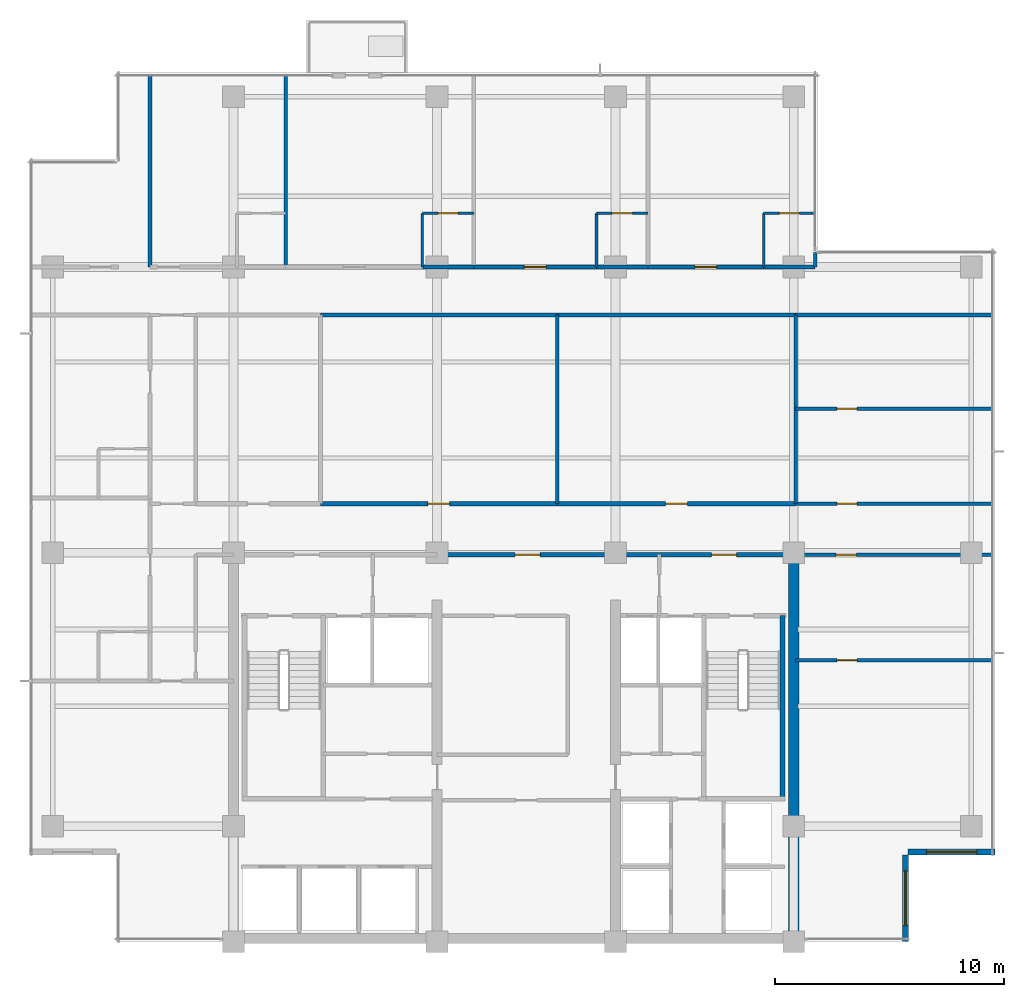
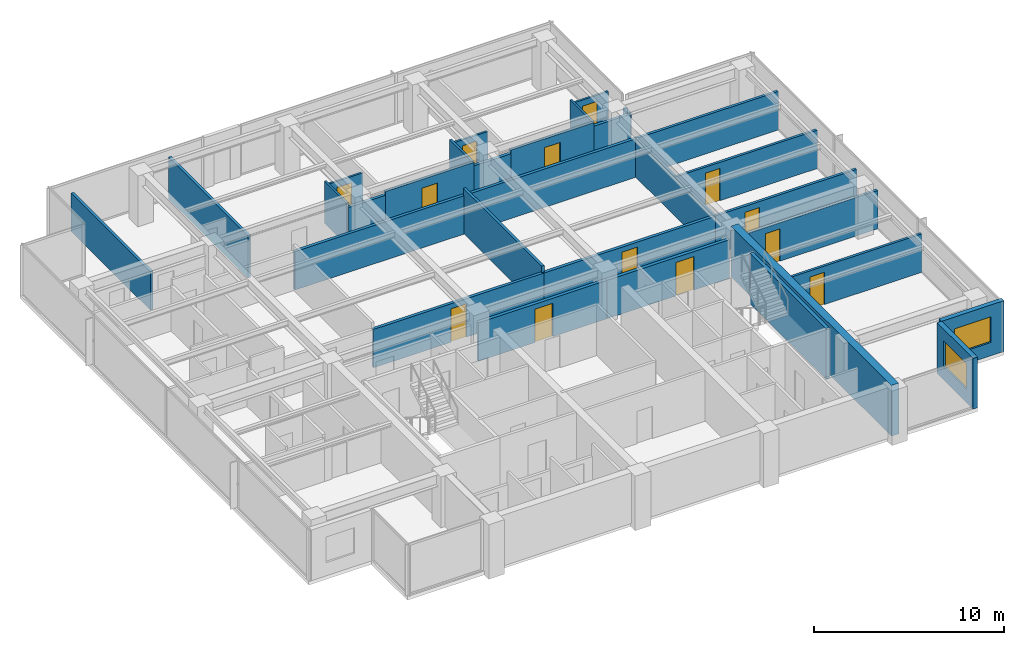
# One storey, part 9 of 14: 31 walls, 13 doors, 2 windows, 15 openings.
"""IFC4 building model written with IfcOpenShell, lengths in metres."""

from ifc_helpers import new_model, si_unit, direction, frame, frame_2d, origin, place, context, subcontext, project, spatial, rectangle, extrude, material, layer, layer_set, type_object, element, fill, save


model = new_model("IFC4")

# Units and contexts
model_context = context("Model", 3, precision=1e-05, world=origin(), true_north=direction((0.0, 1.0)))
body_context = subcontext(model_context, "Body", "Model", "MODEL_VIEW")
ifc_project = project(units=[si_unit("LENGTHUNIT", "METRE"), si_unit("AREAUNIT", "SQUARE_METRE"), si_unit("VOLUMEUNIT", "CUBIC_METRE"), si_unit("PLANEANGLEUNIT", "RADIAN"), si_unit("MASSUNIT", "GRAM", prefix="KILO")], contexts=[model_context])

# Site, building, storey
site_placement = place(None, origin())
site = spatial("IfcSite", under=ifc_project, at=site_placement, CompositionType="ELEMENT")
building_placement = place(site_placement, origin())
building = spatial("IfcBuilding", under=site, at=building_placement, Name="Qalmaran Belvedere Hotel", CompositionType="ELEMENT")
storey_placement = place(building_placement, frame((0.0, 0.0, 207.39990234375)))
storey = spatial("IfcBuildingStorey", under=building, at=storey_placement, Name="L52", CompositionType="ELEMENT", Elevation=207.39990234375)

# Wall
ifc_material_1 = material(Name="Concrete C50/60", Category="concrete")
ifc_layer_1 = layer(ifc_material_1, 0.449951171875, Name="Concrete C50/60")
ifc_layer_set_1 = layer_set([ifc_layer_1], Name="Concrete C50/60")
wall_type_1 = type_object("IfcWallType", Name="WL-CORE-450-C50", PredefinedType="SHEAR", material=ifc_layer_set_1)
wall_1_placement = place(storey_placement, frame((44.800048828125, 3.5, 0.0), z_axis=(0.0, 0.0, 1.0), x_axis=(0.0, 1.0, 0.0)))
element("IfcWall", 1, at=wall_1_placement, inside=storey, type_object=wall_type_1, Name="L52 East Core Shear Wall", PredefinedType="SHEAR", context=body_context, shape_type="SweptSolid", body=[
    extrude(rectangle(XDim=16.89990234375, YDim=0.449951171875, at=frame_2d((8.449951171875, 0.0))), origin(), (0.0, 0.0, 1.0), 3.260009765625),
])

# Wall, opening, window
ifc_material_2 = material(Name="Anodised Bronze Cladding")
ifc_layer_2 = layer(ifc_material_2, 0.280029296875, Name="Anodised Bronze Cladding")
ifc_layer_set_2 = layer_set([ifc_layer_2], Name="Anodised Bronze Cladding")
wall_type_2 = type_object("IfcWallType", Name="WL-EXT-BRNZ-280", PredefinedType="SOLIDWALL", material=ifc_layer_set_2)
wall_2_placement = place(storey_placement, frame((49.679931640625, 3.5, 0.0), z_axis=(0.0, 0.0, 1.0), x_axis=(0.0, 1.0, 0.0)))
wall_2 = element("IfcWall", 2, at=wall_2_placement, inside=storey, type_object=wall_type_2, Name="L52 Corner Notch Wall 1", PredefinedType="SOLIDWALL", context=body_context, shape_type="SweptSolid", body=[
    extrude(rectangle(XDim=3.800048828125, YDim=0.280029296875, at=frame_2d((1.89990234375, 0.0))), origin(), (0.0, 0.0, 1.0), 3.260009765625),
])
opening_1_placement = place(wall_2_placement, frame((0.699951171875, 0.0, 0.85009765625)))
opening_1 = element("IfcOpeningElement", 3, at=opening_1_placement, cuts=wall_2, Name="Opening W-N24", PredefinedType="OPENING", context=body_context, shape_type="SweptSolid", body=[
    extrude(rectangle(XDim=2.39990234375, YDim=1.64990234375, at=frame_2d((1.199951171875, 0.824951171875))), frame((0.0, 0.14990234375, 0.0), z_axis=(0.0, -1.0, 0.0), x_axis=(1.0, 0.0, 0.0)), (0.0, 0.0, 1.0), 0.300048828125),
])
ifc_material_3 = material(Name="Solar-Control Double Glazing", Category="glass")
window_type_1 = type_object("IfcWindowType", Name="WN-NTC-2400X1650", PartitioningType="SINGLE_PANEL", PredefinedType="WINDOW", material=ifc_material_3)
window_1_placement = place(opening_1_placement, origin())
window_1 = element("IfcWindow", 4, at=window_1_placement, inside=storey, type_object=window_type_1, Name="L52 Corner Notch Window 1", OverallHeight=1.64990234375, OverallWidth=2.39990234375, PartitioningType="SINGLE_PANEL", PredefinedType="WINDOW", context=body_context, shape_type="SweptSolid", body=[
    extrude(rectangle(XDim=2.39990234375, YDim=1.64990234375, at=frame_2d((1.199951171875, 0.824951171875))), frame((0.0, 0.030029296875, 0.0), z_axis=(0.0, -1.0, 0.0), x_axis=(1.0, 0.0, 0.0)), (0.0, 0.0, 1.0), 0.06005859375),
])
fill(opening_1, window_1)

wall_3_placement = place(storey_placement, frame((49.800048828125, 7.419921875, 0.0), z_axis=(0.0, 0.0, 1.0), x_axis=(1.0, 0.0, 0.0)))
wall_3 = element("IfcWall", 5, at=wall_3_placement, inside=storey, type_object=wall_type_2, Name="L52 Corner Notch Wall 2", PredefinedType="SOLIDWALL", context=body_context, shape_type="SweptSolid", body=[
    extrude(rectangle(XDim=3.800048828125, YDim=0.280029296875, at=frame_2d((1.89990234375, 0.0))), origin(), (0.0, 0.0, 1.0), 3.260009765625),
])
opening_2_placement = place(wall_3_placement, frame((0.800048828125, 0.0, 0.85009765625)))
opening_2 = element("IfcOpeningElement", 6, at=opening_2_placement, cuts=wall_3, Name="Opening W-N22", PredefinedType="OPENING", context=body_context, shape_type="SweptSolid", body=[
    extrude(rectangle(XDim=2.199951171875, YDim=1.64990234375, at=frame_2d((1.10009765625, 0.824951171875))), frame((0.0, 0.14990234375, 0.0), z_axis=(0.0, -1.0, 0.0), x_axis=(1.0, 0.0, 0.0)), (0.0, 0.0, 1.0), 0.300048828125),
])
window_type_2 = type_object("IfcWindowType", Name="WN-NTC-2200X1650", PartitioningType="SINGLE_PANEL", PredefinedType="WINDOW", material=ifc_material_3)
window_2_placement = place(opening_2_placement, origin())
window_2 = element("IfcWindow", 7, at=window_2_placement, inside=storey, type_object=window_type_2, Name="L52 Corner Notch Window 2", OverallHeight=1.64990234375, OverallWidth=2.199951171875, PartitioningType="SINGLE_PANEL", PredefinedType="WINDOW", context=body_context, shape_type="SweptSolid", body=[
    extrude(rectangle(XDim=2.199951171875, YDim=1.64990234375, at=frame_2d((1.10009765625, 0.824951171875))), frame((0.0, 0.030029296875, 0.0), z_axis=(0.0, -1.0, 0.0), x_axis=(1.0, 0.0, 0.0)), (0.0, 0.0, 1.0), 0.06005859375),
])
fill(opening_2, window_2)

# Wall, opening, door
ifc_material_4 = material(Name="Moisture-Resistant Gypsum")
ifc_layer_3 = layer(ifc_material_4, 0.1201171875, Name="Moisture-Resistant Gypsum")
ifc_layer_set_3 = layer_set([ifc_layer_3], Name="Moisture-Resistant Gypsum")
wall_type_3 = type_object("IfcWallType", Name="WL-INT-120-BATH", PredefinedType="PARTITIONING", material=ifc_layer_set_3)
wall_4_placement = place(storey_placement, frame((28.5546875, 35.35009765625, 0.0), z_axis=(0.0, 0.0, 1.0), x_axis=(1.0, 0.0, 0.0)))
wall_4 = element("IfcWall", 8, at=wall_4_placement, inside=storey, type_object=wall_type_3, Name="L52 Partition WL-L52-NBN01", PredefinedType="PARTITIONING", context=body_context, shape_type="SweptSolid", body=[
    extrude(rectangle(XDim=2.25, YDim=0.1201171875, at=frame_2d((1.125, 0.0))), origin(), (0.0, 0.0, 1.0), 2.47216796875),
])
opening_3_placement = place(wall_4_placement, frame((1.56494140625, 0.0, 0.0), z_axis=(0.0, 0.0, 1.0), x_axis=(-1.0, 0.0, 0.0)))
opening_3 = element("IfcOpeningElement", 9, at=opening_3_placement, cuts=wall_4, Name="Opening D-BATH", PredefinedType="OPENING", context=body_context, shape_type="SweptSolid", body=[
    extrude(rectangle(XDim=0.8798828125, YDim=2.080078125, at=frame_2d((0.43994140625, 1.0400390625))), frame((0.0, 0.070068359375, 0.0), z_axis=(0.0, -1.0, 0.0), x_axis=(1.0, 0.0, 0.0)), (0.0, 0.0, 1.0), 0.14013671875),
])
ifc_material_5 = material(Name="Engineered Oak Veneer")
door_type_1 = type_object("IfcDoorType", Name="DR-INT-BATH-880X2080", OperationType="NOTDEFINED", PredefinedType="DOOR", material=ifc_material_5)
door_1_placement = place(opening_3_placement, origin())
door_1 = element("IfcDoor", 10, at=door_1_placement, inside=storey, type_object=door_type_1, Name="L52 Ensuite Bathroom Door N02", OperationType="SINGLE_SWING_LEFT", OverallHeight=2.080078125, OverallWidth=0.8798828125, PredefinedType="DOOR", context=body_context, shape_type="SweptSolid", body=[
    extrude(rectangle(XDim=0.8798828125, YDim=2.080078125, at=frame_2d((0.43994140625, 1.0400390625))), frame((0.0, 0.02490234375, 0.0), z_axis=(0.0, -1.0, 0.0), x_axis=(1.0, 0.0, 0.0)), (0.0, 0.0, 1.0), 0.050048828125),
])
fill(opening_3, door_1)

# Wall
wall_5_placement = place(storey_placement, frame((28.5546875, 33.0, 0.0), z_axis=(0.0, 0.0, 1.0), x_axis=(0.0, 1.0, 0.0)))
element("IfcWall", 11, at=wall_5_placement, inside=storey, type_object=wall_type_3, Name="L52 Partition WL-L52-NBS01", PredefinedType="PARTITIONING", context=body_context, shape_type="SweptSolid", body=[
    extrude(rectangle(XDim=2.35009765625, YDim=0.1201171875, at=frame_2d((1.175048828125, 0.0))), origin(), (0.0, 0.0, 1.0), 2.7060546875),
])

# Wall, opening, door
wall_6_placement = place(storey_placement, frame((36.169677734375, 35.35009765625, 0.0), z_axis=(0.0, 0.0, 1.0), x_axis=(1.0, 0.0, 0.0)))
wall_6 = element("IfcWall", 12, at=wall_6_placement, inside=storey, type_object=wall_type_3, Name="L52 Partition WL-L52-NBN02", PredefinedType="PARTITIONING", context=body_context, shape_type="SweptSolid", body=[
    extrude(rectangle(XDim=2.25, YDim=0.1201171875, at=frame_2d((1.125, 0.0))), origin(), (0.0, 0.0, 1.0), 2.47216796875),
])
opening_4_placement = place(wall_6_placement, frame((1.56494140625, 0.0, 0.0), z_axis=(0.0, 0.0, 1.0), x_axis=(-1.0, 0.0, 0.0)))
opening_4 = element("IfcOpeningElement", 13, at=opening_4_placement, cuts=wall_6, Name="Opening D-BATH", PredefinedType="OPENING", context=body_context, shape_type="SweptSolid", body=[
    extrude(rectangle(XDim=0.8798828125, YDim=2.080078125, at=frame_2d((0.43994140625, 1.0400390625))), frame((0.0, 0.070068359375, 0.0), z_axis=(0.0, -1.0, 0.0), x_axis=(1.0, 0.0, 0.0)), (0.0, 0.0, 1.0), 0.14013671875),
])
door_2_placement = place(opening_4_placement, origin())
door_2 = element("IfcDoor", 14, at=door_2_placement, inside=storey, type_object=door_type_1, Name="L52 Ensuite Bathroom Door N03", OperationType="SINGLE_SWING_LEFT", OverallHeight=2.080078125, OverallWidth=0.8798828125, PredefinedType="DOOR", context=body_context, shape_type="SweptSolid", body=[
    extrude(rectangle(XDim=0.8798828125, YDim=2.080078125, at=frame_2d((0.43994140625, 1.0400390625))), frame((0.0, 0.02490234375, 0.0), z_axis=(0.0, -1.0, 0.0), x_axis=(1.0, 0.0, 0.0)), (0.0, 0.0, 1.0), 0.050048828125),
])
fill(opening_4, door_2)

# Wall
wall_7_placement = place(storey_placement, frame((36.169677734375, 33.0, 0.0), z_axis=(0.0, 0.0, 1.0), x_axis=(0.0, 1.0, 0.0)))
element("IfcWall", 15, at=wall_7_placement, inside=storey, type_object=wall_type_3, Name="L52 Partition WL-L52-NBS02", PredefinedType="PARTITIONING", context=body_context, shape_type="SweptSolid", body=[
    extrude(rectangle(XDim=2.35009765625, YDim=0.1201171875, at=frame_2d((1.175048828125, 0.0))), origin(), (0.0, 0.0, 1.0), 2.7060546875),
])

# Wall, opening, door
wall_8_placement = place(storey_placement, frame((43.47998046875, 35.35009765625, 0.0), z_axis=(0.0, 0.0, 1.0), x_axis=(1.0, 0.0, 0.0)))
wall_8 = element("IfcWall", 16, at=wall_8_placement, inside=storey, type_object=wall_type_3, Name="L52 Partition WL-L52-NBN03", PredefinedType="PARTITIONING", context=body_context, shape_type="SweptSolid", body=[
    extrude(rectangle(XDim=2.25, YDim=0.1201171875, at=frame_2d((1.125, 0.0))), origin(), (0.0, 0.0, 1.0), 2.47216796875),
])
opening_5_placement = place(wall_8_placement, frame((1.56494140625, 0.0, 0.0), z_axis=(0.0, 0.0, 1.0), x_axis=(-1.0, 0.0, 0.0)))
opening_5 = element("IfcOpeningElement", 17, at=opening_5_placement, cuts=wall_8, Name="Opening D-BATH", PredefinedType="OPENING", context=body_context, shape_type="SweptSolid", body=[
    extrude(rectangle(XDim=0.8798828125, YDim=2.080078125, at=frame_2d((0.43994140625, 1.0400390625))), frame((0.0, 0.070068359375, 0.0), z_axis=(0.0, -1.0, 0.0), x_axis=(1.0, 0.0, 0.0)), (0.0, 0.0, 1.0), 0.14013671875),
])
door_3_placement = place(opening_5_placement, origin())
door_3 = element("IfcDoor", 18, at=door_3_placement, inside=storey, type_object=door_type_1, Name="L52 Ensuite Bathroom Door N04", OperationType="SINGLE_SWING_LEFT", OverallHeight=2.080078125, OverallWidth=0.8798828125, PredefinedType="DOOR", context=body_context, shape_type="SweptSolid", body=[
    extrude(rectangle(XDim=0.8798828125, YDim=2.080078125, at=frame_2d((0.43994140625, 1.0400390625))), frame((0.0, 0.02490234375, 0.0), z_axis=(0.0, -1.0, 0.0), x_axis=(1.0, 0.0, 0.0)), (0.0, 0.0, 1.0), 0.050048828125),
])
fill(opening_5, door_3)

# Wall
wall_9_placement = place(storey_placement, frame((43.47998046875, 33.0, 0.0), z_axis=(0.0, 0.0, 1.0), x_axis=(0.0, 1.0, 0.0)))
element("IfcWall", 19, at=wall_9_placement, inside=storey, type_object=wall_type_3, Name="L52 Partition WL-L52-NBS03", PredefinedType="PARTITIONING", context=body_context, shape_type="SweptSolid", body=[
    extrude(rectangle(XDim=2.35009765625, YDim=0.1201171875, at=frame_2d((1.175048828125, 0.0))), origin(), (0.0, 0.0, 1.0), 2.7060546875),
])

# Wall, opening, door
ifc_material_6 = material(Name="Gypsum Stud Partition")
ifc_layer_4 = layer(ifc_material_6, 0.14990234375, Name="Gypsum Stud Partition")
ifc_layer_set_4 = layer_set([ifc_layer_4], Name="Gypsum Stud Partition")
wall_type_4 = type_object("IfcWallType", Name="WL-INT-150-EI60", PredefinedType="PARTITIONING", material=ifc_layer_set_4)
wall_10_placement = place(storey_placement, frame((44.8798828125, 15.800048828125, 0.0), z_axis=(0.0, 0.0, 1.0), x_axis=(1.0, 0.0, 0.0)))
wall_10 = element("IfcWall", 20, at=wall_10_placement, inside=storey, type_object=wall_type_4, Name="L52 Partition WL-L52-ECEH0", PredefinedType="PARTITIONING", context=body_context, shape_type="SweptSolid", body=[
    extrude(rectangle(XDim=8.60009765625, YDim=0.14990234375, at=frame_2d((4.300048828125, 0.0))), origin(), (0.0, 0.0, 1.0), 2.47216796875),
])
opening_6_placement = place(wall_10_placement, frame((2.679931640625, 0.0, 0.0), z_axis=(0.0, 0.0, 1.0), x_axis=(-1.0, 0.0, 0.0)))
opening_6 = element("IfcOpeningElement", 21, at=opening_6_placement, cuts=wall_10, Name="Opening FD60B", PredefinedType="OPENING", context=body_context, shape_type="SweptSolid", body=[
    extrude(rectangle(XDim=0.8798828125, YDim=2.080078125, at=frame_2d((0.43994140625, 1.0400390625))), frame((0.0, 0.0849609375, 0.0), z_axis=(0.0, -1.0, 0.0), x_axis=(1.0, 0.0, 0.0)), (0.0, 0.0, 1.0), 0.169921875),
])
ifc_material_7 = material(Name="Steel S355JR", Category="steel")
door_type_2 = type_object("IfcDoorType", Name="DR-FD60B-880X2080", OperationType="NOTDEFINED", PredefinedType="DOOR", material=ifc_material_7)
door_4_placement = place(opening_6_placement, origin())
door_4 = element("IfcDoor", 22, at=door_4_placement, inside=storey, type_object=door_type_2, Name="L52 East Study Inner Door", OperationType="SINGLE_SWING_RIGHT", OverallHeight=2.080078125, OverallWidth=0.8798828125, PredefinedType="DOOR", context=body_context, shape_type="SweptSolid", body=[
    extrude(rectangle(XDim=0.8798828125, YDim=2.080078125, at=frame_2d((0.43994140625, 1.0400390625))), frame((0.0, 0.02490234375, 0.0), z_axis=(0.0, -1.0, 0.0), x_axis=(1.0, 0.0, 0.0)), (0.0, 0.0, 1.0), 0.050048828125),
])
fill(opening_6, door_4)

wall_11_placement = place(storey_placement, frame((44.8798828125, 26.800048828125, 0.0), z_axis=(0.0, 0.0, 1.0), x_axis=(1.0, 0.0, 0.0)))
wall_11 = element("IfcWall", 23, at=wall_11_placement, inside=storey, type_object=wall_type_4, Name="L52 Partition WL-L52-ECEH2", PredefinedType="PARTITIONING", context=body_context, shape_type="SweptSolid", body=[
    extrude(rectangle(XDim=8.60009765625, YDim=0.14990234375, at=frame_2d((4.300048828125, 0.0))), origin(), (0.0, 0.0, 1.0), 2.47216796875),
])
opening_7_placement = place(wall_11_placement, frame((1.800048828125, 0.0, 0.0)))
opening_7 = element("IfcOpeningElement", 24, at=opening_7_placement, cuts=wall_11, Name="Opening FD60B", PredefinedType="OPENING", context=body_context, shape_type="SweptSolid", body=[
    extrude(rectangle(XDim=0.8798828125, YDim=2.080078125, at=frame_2d((0.43994140625, 1.0400390625))), frame((0.0, 0.0849609375, 0.0), z_axis=(0.0, -1.0, 0.0), x_axis=(1.0, 0.0, 0.0)), (0.0, 0.0, 1.0), 0.169921875),
])
door_5_placement = place(opening_7_placement, origin())
door_5 = element("IfcDoor", 25, at=door_5_placement, inside=storey, type_object=door_type_2, Name="L52 East Meditation Door", OperationType="SINGLE_SWING_LEFT", OverallHeight=2.080078125, OverallWidth=0.8798828125, PredefinedType="DOOR", context=body_context, shape_type="SweptSolid", body=[
    extrude(rectangle(XDim=0.8798828125, YDim=2.080078125, at=frame_2d((0.43994140625, 1.0400390625))), frame((0.0, 0.02490234375, 0.0), z_axis=(0.0, -1.0, 0.0), x_axis=(1.0, 0.0, 0.0)), (0.0, 0.0, 1.0), 0.050048828125),
])
fill(opening_7, door_5)

ifc_layer_5 = layer(ifc_material_6, 0.159912109375, Name="Gypsum Stud Partition")
ifc_layer_set_5 = layer_set([ifc_layer_5], Name="Gypsum Stud Partition")
wall_type_5 = type_object("IfcWallType", Name="WL-INT-160-EI60", PredefinedType="PARTITIONING", material=ifc_layer_set_5)
wall_12_placement = place(storey_placement, frame((44.800048828125, 20.419921875, 0.0), z_axis=(0.0, 0.0, 1.0), x_axis=(1.0, 0.0, 0.0)))
wall_12 = element("IfcWall", 26, at=wall_12_placement, inside=storey, type_object=wall_type_5, Name="L52 Partition WL-L52-ECE1S", PredefinedType="PARTITIONING", context=body_context, shape_type="SweptSolid", body=[
    extrude(rectangle(XDim=8.679931640625, YDim=0.159912109375, at=frame_2d((4.33984375, 0.0))), origin(), (0.0, 0.0, 1.0), 2.47216796875),
])
opening_8_placement = place(wall_12_placement, frame((2.72998046875, 0.0, 0.0), z_axis=(0.0, 0.0, 1.0), x_axis=(-1.0, 0.0, 0.0)))
opening_8 = element("IfcOpeningElement", 27, at=opening_8_placement, cuts=wall_12, Name="Opening FD60B", PredefinedType="OPENING", context=body_context, shape_type="SweptSolid", body=[
    extrude(rectangle(XDim=0.8798828125, YDim=2.080078125, at=frame_2d((0.43994140625, 1.0400390625))), frame((0.0, 0.08984375, 0.0), z_axis=(0.0, -1.0, 0.0), x_axis=(1.0, 0.0, 0.0)), (0.0, 0.0, 1.0), 0.179931640625),
])
door_6_placement = place(opening_8_placement, origin())
door_6 = element("IfcDoor", 28, at=door_6_placement, inside=storey, type_object=door_type_2, Name="L52 East Library Door", OperationType="SINGLE_SWING_RIGHT", OverallHeight=2.080078125, OverallWidth=0.8798828125, PredefinedType="DOOR", context=body_context, shape_type="SweptSolid", body=[
    extrude(rectangle(XDim=0.8798828125, YDim=2.080078125, at=frame_2d((0.43994140625, 1.0400390625))), frame((0.0, 0.02490234375, 0.0), z_axis=(0.0, -1.0, 0.0), x_axis=(1.0, 0.0, 0.0)), (0.0, 0.0, 1.0), 0.050048828125),
])
fill(opening_8, door_6)

wall_13_placement = place(storey_placement, frame((44.8798828125, 22.64990234375, 0.0), z_axis=(0.0, 0.0, 1.0), x_axis=(1.0, 0.0, 0.0)))
wall_13 = element("IfcWall", 29, at=wall_13_placement, inside=storey, type_object=wall_type_5, Name="L52 Partition WL-L52-ECE2N", PredefinedType="PARTITIONING", context=body_context, shape_type="SweptSolid", body=[
    extrude(rectangle(XDim=8.60009765625, YDim=0.159912109375, at=frame_2d((4.300048828125, 0.0))), origin(), (0.0, 0.0, 1.0), 2.47216796875),
])
opening_9_placement = place(wall_13_placement, frame((1.800048828125, 0.0, 0.0)))
opening_9 = element("IfcOpeningElement", 30, at=opening_9_placement, cuts=wall_13, Name="Opening FD60B", PredefinedType="OPENING", context=body_context, shape_type="SweptSolid", body=[
    extrude(rectangle(XDim=0.8798828125, YDim=2.080078125, at=frame_2d((0.43994140625, 1.0400390625))), frame((0.0, 0.08984375, 0.0), z_axis=(0.0, -1.0, 0.0), x_axis=(1.0, 0.0, 0.0)), (0.0, 0.0, 1.0), 0.179931640625),
])
door_7_placement = place(opening_9_placement, origin())
door_7 = element("IfcDoor", 31, at=door_7_placement, inside=storey, type_object=door_type_2, Name="L52 East Fitness Door", OperationType="SINGLE_SWING_LEFT", OverallHeight=2.080078125, OverallWidth=0.8798828125, PredefinedType="DOOR", context=body_context, shape_type="SweptSolid", body=[
    extrude(rectangle(XDim=0.8798828125, YDim=2.080078125, at=frame_2d((0.43994140625, 1.0400390625))), frame((0.0, 0.02490234375, 0.0), z_axis=(0.0, -1.0, 0.0), x_axis=(1.0, 0.0, 0.0)), (0.0, 0.0, 1.0), 0.050048828125),
])
fill(opening_9, door_7)

# Walls
wall_14_placement = place(storey_placement, frame((44.8798828125, 30.89990234375, 0.0), z_axis=(0.0, 0.0, 1.0), x_axis=(1.0, 0.0, 0.0)))
element("IfcWall", 32, at=wall_14_placement, inside=storey, type_object=wall_type_5, Name="L52 Partition WL-L52-ECEN", PredefinedType="PARTITIONING", context=body_context, shape_type="SweptSolid", body=[
    extrude(rectangle(XDim=8.60009765625, YDim=0.159912109375, at=frame_2d((4.300048828125, 0.0))), origin(), (0.0, 0.0, 1.0), 2.47216796875),
])
wall_15_placement = place(storey_placement, frame((34.449951171875, 22.64990234375, 0.0), z_axis=(0.0, 0.0, 1.0), x_axis=(0.0, 1.0, 0.0)))
element("IfcWall", 33, at=wall_15_placement, inside=storey, type_object=wall_type_5, Name="L52 Partition WL-L52-MIDVR2", PredefinedType="PARTITIONING", context=body_context, shape_type="SweptSolid", body=[
    extrude(rectangle(XDim=8.25, YDim=0.159912109375, at=frame_2d((4.125, 0.0))), origin(), (0.0, 0.0, 1.0), 2.88720703125),
])
wall_16_placement = place(storey_placement, frame((44.8798828125, 22.64990234375, 0.0), z_axis=(0.0, 0.0, 1.0), x_axis=(0.0, 1.0, 0.0)))
element("IfcWall", 34, at=wall_16_placement, inside=storey, type_object=wall_type_5, Name="L52 Partition WL-L52-MIDVR3", PredefinedType="PARTITIONING", context=body_context, shape_type="SweptSolid", body=[
    extrude(rectangle(XDim=8.25, YDim=0.159912109375, at=frame_2d((4.125, 0.0))), origin(), (0.0, 0.0, 1.0), 2.47216796875),
])
wall_17_placement = place(storey_placement, frame((16.64990234375, 33.0, 0.0), z_axis=(0.0, 0.0, 1.0), x_axis=(0.0, 1.0, 0.0)))
element("IfcWall", 35, at=wall_17_placement, inside=storey, type_object=wall_type_5, Name="L52 Partition WL-L52-NUL", PredefinedType="PARTITIONING", context=body_context, shape_type="SweptSolid", body=[
    extrude(rectangle(XDim=8.3798828125, YDim=0.159912109375, at=frame_2d((4.18994140625, 0.0))), origin(), (0.0, 0.0, 1.0), 2.47216796875),
])
wall_18_placement = place(storey_placement, frame((22.580322265625, 33.0, 0.0), z_axis=(0.0, 0.0, 1.0), x_axis=(0.0, 1.0, 0.0)))
element("IfcWall", 36, at=wall_18_placement, inside=storey, type_object=wall_type_5, Name="L52 Partition WL-L52-NUR00", PredefinedType="PARTITIONING", context=body_context, shape_type="SweptSolid", body=[
    extrude(rectangle(XDim=8.3798828125, YDim=0.159912109375, at=frame_2d((4.18994140625, 0.0))), origin(), (0.0, 0.0, 1.0), 2.7060546875),
])
wall_19_placement = place(storey_placement, frame((45.72998046875, 33.0, 0.0), z_axis=(0.0, 0.0, 1.0), x_axis=(0.0, 1.0, 0.0)))
element("IfcWall", 37, at=wall_19_placement, inside=storey, type_object=wall_type_5, Name="L52 Partition WL-L52-NUR03", PredefinedType="PARTITIONING", context=body_context, shape_type="SweptSolid", body=[
    extrude(rectangle(XDim=0.6298828125, YDim=0.159912109375, at=frame_2d((0.31494140625, 0.0))), origin(), (0.0, 0.0, 1.0), 2.47216796875),
])

# Wall, opening, door
ifc_layer_6 = layer(ifc_material_6, 0.179931640625, Name="Gypsum Stud Partition")
ifc_layer_set_6 = layer_set([ifc_layer_6], Name="Gypsum Stud Partition")
wall_type_6 = type_object("IfcWallType", Name="WL-INT-180-EI60", PredefinedType="PARTITIONING", material=ifc_layer_set_6)
wall_20_placement = place(storey_placement, frame((24.10009765625, 22.64990234375, 0.0), z_axis=(0.0, 0.0, 1.0), x_axis=(1.0, 0.0, 0.0)))
wall_20 = element("IfcWall", 38, at=wall_20_placement, inside=storey, type_object=wall_type_6, Name="L52 Partition WL-L52-MIDD2", PredefinedType="PARTITIONING", context=body_context, shape_type="SweptSolid", body=[
    extrude(rectangle(XDim=10.349853515625, YDim=0.179931640625, at=frame_2d((5.1748046875, 0.0))), origin(), (0.0, 0.0, 1.0), 2.47216796875),
])
opening_10_placement = place(wall_20_placement, frame((4.699951171875, 0.0, 0.0)))
opening_10 = element("IfcOpeningElement", 39, at=opening_10_placement, cuts=wall_20, Name="Opening FD60", PredefinedType="OPENING", context=body_context, shape_type="SweptSolid", body=[
    extrude(rectangle(XDim=0.949951171875, YDim=2.14990234375, at=frame_2d((0.47509765625, 1.074951171875))), frame((0.0, 0.10009765625, 0.0), z_axis=(0.0, -1.0, 0.0), x_axis=(1.0, 0.0, 0.0)), (0.0, 0.0, 1.0), 0.199951171875),
])
door_type_3 = type_object("IfcDoorType", Name="DR-FD60-950X2150", OperationType="NOTDEFINED", PredefinedType="DOOR", material=ifc_material_5)
door_8_placement = place(opening_10_placement, origin())
door_8 = element("IfcDoor", 40, at=door_8_placement, inside=storey, type_object=door_type_3, Name="L52 Club Lounge Door", OperationType="SINGLE_SWING_LEFT", OverallHeight=2.14990234375, OverallWidth=0.949951171875, PredefinedType="DOOR", context=body_context, shape_type="SweptSolid", body=[
    extrude(rectangle(XDim=0.949951171875, YDim=2.14990234375, at=frame_2d((0.47509765625, 1.074951171875))), frame((0.0, 0.02490234375, 0.0), z_axis=(0.0, -1.0, 0.0), x_axis=(1.0, 0.0, 0.0)), (0.0, 0.0, 1.0), 0.050048828125),
])
fill(opening_10, door_8)

# Wall
wall_21_placement = place(storey_placement, frame((24.10009765625, 30.89990234375, 0.0), z_axis=(0.0, 0.0, 1.0), x_axis=(1.0, 0.0, 0.0)))
element("IfcWall", 41, at=wall_21_placement, inside=storey, type_object=wall_type_6, Name="L52 Partition WL-L52-MIDO2", PredefinedType="PARTITIONING", context=body_context, shape_type="SweptSolid", body=[
    extrude(rectangle(XDim=10.349853515625, YDim=0.179931640625, at=frame_2d((5.1748046875, 0.0))), origin(), (0.0, 0.0, 1.0), 2.47216796875),
])

# Wall, opening, door
wall_22_placement = place(storey_placement, frame((34.449951171875, 22.64990234375, 0.0), z_axis=(0.0, 0.0, 1.0), x_axis=(1.0, 0.0, 0.0)))
wall_22 = element("IfcWall", 42, at=wall_22_placement, inside=storey, type_object=wall_type_6, Name="L52 Partition WL-L52-MIDD3", PredefinedType="PARTITIONING", context=body_context, shape_type="SweptSolid", body=[
    extrude(rectangle(XDim=10.429931640625, YDim=0.179931640625, at=frame_2d((5.21484375, 0.0))), origin(), (0.0, 0.0, 1.0), 2.47216796875),
])
opening_11_placement = place(wall_22_placement, frame((4.739990234375, 0.0, 0.0)))
opening_11 = element("IfcOpeningElement", 43, at=opening_11_placement, cuts=wall_22, Name="Opening FD60", PredefinedType="OPENING", context=body_context, shape_type="SweptSolid", body=[
    extrude(rectangle(XDim=0.949951171875, YDim=2.14990234375, at=frame_2d((0.47509765625, 1.074951171875))), frame((0.0, 0.10009765625, 0.0), z_axis=(0.0, -1.0, 0.0), x_axis=(1.0, 0.0, 0.0)), (0.0, 0.0, 1.0), 0.199951171875),
])
door_9_placement = place(opening_11_placement, origin())
door_9 = element("IfcDoor", 44, at=door_9_placement, inside=storey, type_object=door_type_3, Name="L52 Fitness Spa Door", OperationType="SINGLE_SWING_RIGHT", OverallHeight=2.14990234375, OverallWidth=0.949951171875, PredefinedType="DOOR", context=body_context, shape_type="SweptSolid", body=[
    extrude(rectangle(XDim=0.949951171875, YDim=2.14990234375, at=frame_2d((0.47509765625, 1.074951171875))), frame((0.0, 0.02490234375, 0.0), z_axis=(0.0, -1.0, 0.0), x_axis=(1.0, 0.0, 0.0)), (0.0, 0.0, 1.0), 0.050048828125),
])
fill(opening_11, door_9)

# Walls
wall_23_placement = place(storey_placement, frame((34.449951171875, 30.89990234375, 0.0), z_axis=(0.0, 0.0, 1.0), x_axis=(1.0, 0.0, 0.0)))
element("IfcWall", 45, at=wall_23_placement, inside=storey, type_object=wall_type_6, Name="L52 Partition WL-L52-MIDO3", PredefinedType="PARTITIONING", context=body_context, shape_type="SweptSolid", body=[
    extrude(rectangle(XDim=10.429931640625, YDim=0.179931640625, at=frame_2d((5.21484375, 0.0))), origin(), (0.0, 0.0, 1.0), 2.47216796875),
])
for number, where, z_axis, x_axis, name in (
    (46, (28.5546875, 33.0, 0.0), (0.0, 0.0, 1.0), (1.0, 0.0, 0.0), "L52 Partition WL-L52-NBC01"),
    (47, (36.169677734375, 33.0, 0.0), (0.0, 0.0, 1.0), (1.0, 0.0, 0.0), "L52 Partition WL-L52-NBC02"),
):
    element("IfcWall", number, at=place(storey_placement, frame(where, z_axis=z_axis, x_axis=x_axis)), inside=storey, type_object=wall_type_6, Name=name, PredefinedType="PARTITIONING", context=body_context, shape_type="SweptSolid", body=[
        extrude(rectangle(XDim=2.25, YDim=0.179931640625, at=frame_2d((1.125, 0.0))), origin(), (0.0, 0.0, 1.0), 2.47216796875),
    ])

# Wall, opening, door
wall_24_placement = place(storey_placement, frame((30.8046875, 33.0, 0.0), z_axis=(0.0, 0.0, 1.0), x_axis=(1.0, 0.0, 0.0)))
wall_24 = element("IfcWall", 48, at=wall_24_placement, inside=storey, type_object=wall_type_6, Name="L52 Partition WL-L52-NEC02", PredefinedType="PARTITIONING", context=body_context, shape_type="SweptSolid", body=[
    extrude(rectangle(XDim=5.364990234375, YDim=0.179931640625, at=frame_2d((2.6826171875, 0.0))), origin(), (0.0, 0.0, 1.0), 2.7060546875),
])
opening_12_placement = place(wall_24_placement, frame((2.20751953125, 0.0, 0.0)))
opening_12 = element("IfcOpeningElement", 49, at=opening_12_placement, cuts=wall_24, Name="Opening FD60", PredefinedType="OPENING", context=body_context, shape_type="SweptSolid", body=[
    extrude(rectangle(XDim=0.949951171875, YDim=2.14990234375, at=frame_2d((0.47509765625, 1.074951171875))), frame((0.0, 0.10009765625, 0.0), z_axis=(0.0, -1.0, 0.0), x_axis=(1.0, 0.0, 0.0)), (0.0, 0.0, 1.0), 0.199951171875),
])
door_10_placement = place(opening_12_placement, origin())
door_10 = element("IfcDoor", 50, at=door_10_placement, inside=storey, type_object=door_type_3, Name="L52 Guest Entrance Door N03", OperationType="SINGLE_SWING_RIGHT", OverallHeight=2.14990234375, OverallWidth=0.949951171875, PredefinedType="DOOR", context=body_context, shape_type="SweptSolid", body=[
    extrude(rectangle(XDim=0.949951171875, YDim=2.14990234375, at=frame_2d((0.47509765625, 1.074951171875))), frame((0.0, 0.02490234375, 0.0), z_axis=(0.0, -1.0, 0.0), x_axis=(1.0, 0.0, 0.0)), (0.0, 0.0, 1.0), 0.050048828125),
])
fill(opening_12, door_10)

# Wall
wall_25_placement = place(storey_placement, frame((43.47998046875, 33.0, 0.0), z_axis=(0.0, 0.0, 1.0), x_axis=(1.0, 0.0, 0.0)))
element("IfcWall", 51, at=wall_25_placement, inside=storey, type_object=wall_type_6, Name="L52 Partition WL-L52-NBC03", PredefinedType="PARTITIONING", context=body_context, shape_type="SweptSolid", body=[
    extrude(rectangle(XDim=2.25, YDim=0.179931640625, at=frame_2d((1.125, 0.0))), origin(), (0.0, 0.0, 1.0), 2.47216796875),
])

# Wall, opening, door
wall_26_placement = place(storey_placement, frame((38.419677734375, 33.0, 0.0), z_axis=(0.0, 0.0, 1.0), x_axis=(1.0, 0.0, 0.0)))
wall_26 = element("IfcWall", 52, at=wall_26_placement, inside=storey, type_object=wall_type_6, Name="L52 Partition WL-L52-NEC03", PredefinedType="PARTITIONING", context=body_context, shape_type="SweptSolid", body=[
    extrude(rectangle(XDim=5.060302734375, YDim=0.179931640625, at=frame_2d((2.5302734375, 0.0))), origin(), (0.0, 0.0, 1.0), 2.7060546875),
])
opening_13_placement = place(wall_26_placement, frame((2.05517578125, 0.0, 0.0)))
opening_13 = element("IfcOpeningElement", 53, at=opening_13_placement, cuts=wall_26, Name="Opening FD60", PredefinedType="OPENING", context=body_context, shape_type="SweptSolid", body=[
    extrude(rectangle(XDim=0.949951171875, YDim=2.14990234375, at=frame_2d((0.47509765625, 1.074951171875))), frame((0.0, 0.10009765625, 0.0), z_axis=(0.0, -1.0, 0.0), x_axis=(1.0, 0.0, 0.0)), (0.0, 0.0, 1.0), 0.199951171875),
])
door_11_placement = place(opening_13_placement, origin())
door_11 = element("IfcDoor", 54, at=door_11_placement, inside=storey, type_object=door_type_3, Name="L52 Guest Entrance Door N04", OperationType="SINGLE_SWING_RIGHT", OverallHeight=2.14990234375, OverallWidth=0.949951171875, PredefinedType="DOOR", context=body_context, shape_type="SweptSolid", body=[
    extrude(rectangle(XDim=0.949951171875, YDim=2.14990234375, at=frame_2d((0.47509765625, 1.074951171875))), frame((0.0, 0.02490234375, 0.0), z_axis=(0.0, -1.0, 0.0), x_axis=(1.0, 0.0, 0.0)), (0.0, 0.0, 1.0), 0.050048828125),
])
fill(opening_13, door_11)

ifc_material_8 = material(Name="Concrete C30/37 Blockwork", Category="masonry")
ifc_layer_7 = layer(ifc_material_8, 0.199951171875, Name="Concrete C30/37 Blockwork")
ifc_layer_set_7 = layer_set([ifc_layer_7], Name="Concrete C30/37 Blockwork")
wall_type_7 = type_object("IfcWallType", Name="WL-INT-200-EI120", PredefinedType="PARTITIONING", material=ifc_layer_set_7)
wall_27_placement = place(storey_placement, frame((29.199951171875, 20.419921875, 0.0), z_axis=(0.0, 0.0, 1.0), x_axis=(1.0, 0.0, 0.0)))
wall_27 = element("IfcWall", 55, at=wall_27_placement, inside=storey, type_object=wall_type_7, Name="L52 Partition WL-CN2-L52", PredefinedType="PARTITIONING", context=body_context, shape_type="SweptSolid", body=[
    extrude(rectangle(XDim=7.800048828125, YDim=0.199951171875, at=frame_2d((3.89990234375, 0.0))), origin(), (0.0, 0.0, 1.0), 2.47216796875),
])
opening_14_placement = place(wall_27_placement, frame((3.4091796875, 0.0, 0.0)))
opening_14 = element("IfcOpeningElement", 56, at=opening_14_placement, cuts=wall_27, Name="Opening FD90", PredefinedType="OPENING", context=body_context, shape_type="SweptSolid", body=[
    extrude(rectangle(XDim=1.10009765625, YDim=2.14990234375, at=frame_2d((0.550048828125, 1.074951171875))), frame((0.0, 0.10986328125, 0.0), z_axis=(0.0, -1.0, 0.0), x_axis=(1.0, 0.0, 0.0)), (0.0, 0.0, 1.0), 0.219970703125),
])
door_type_4 = type_object("IfcDoorType", Name="DR-FD90-1100X2150", OperationType="NOTDEFINED", PredefinedType="DOOR", material=ifc_material_7)
door_12_placement = place(opening_14_placement, origin())
door_12 = element("IfcDoor", 57, at=door_12_placement, inside=storey, type_object=door_type_4, Name="L52 Central Lift Lobby Door", OperationType="SINGLE_SWING_LEFT", OverallHeight=2.14990234375, OverallWidth=1.10009765625, PredefinedType="DOOR", context=body_context, shape_type="SweptSolid", body=[
    extrude(rectangle(XDim=1.10009765625, YDim=2.14990234375, at=frame_2d((0.550048828125, 1.074951171875))), frame((0.0, 0.02490234375, 0.0), z_axis=(0.0, -1.0, 0.0), x_axis=(1.0, 0.0, 0.0)), (0.0, 0.0, 1.0), 0.050048828125),
])
fill(opening_14, door_12)

wall_28_placement = place(storey_placement, frame((37.0, 20.419921875, 0.0), z_axis=(0.0, 0.0, 1.0), x_axis=(1.0, 0.0, 0.0)))
wall_28 = element("IfcWall", 58, at=wall_28_placement, inside=storey, type_object=wall_type_7, Name="L52 Partition WL-CN3-L52", PredefinedType="PARTITIONING", context=body_context, shape_type="SweptSolid", body=[
    extrude(rectangle(XDim=7.449951171875, YDim=0.199951171875, at=frame_2d((3.72509765625, 0.0))), origin(), (0.0, 0.0, 1.0), 2.47216796875),
])
opening_15_placement = place(wall_28_placement, frame((4.199951171875, 0.0, 0.0)))
opening_15 = element("IfcOpeningElement", 59, at=opening_15_placement, cuts=wall_28, Name="Opening FD90", PredefinedType="OPENING", context=body_context, shape_type="SweptSolid", body=[
    extrude(rectangle(XDim=1.10009765625, YDim=2.14990234375, at=frame_2d((0.550048828125, 1.074951171875))), frame((0.0, 0.10986328125, 0.0), z_axis=(0.0, -1.0, 0.0), x_axis=(1.0, 0.0, 0.0)), (0.0, 0.0, 1.0), 0.219970703125),
])
door_13_placement = place(opening_15_placement, origin())
door_13 = element("IfcDoor", 60, at=door_13_placement, inside=storey, type_object=door_type_4, Name="L52 FF2 Lobby Corridor Door", OperationType="SINGLE_SWING_RIGHT", OverallHeight=2.14990234375, OverallWidth=1.10009765625, PredefinedType="DOOR", context=body_context, shape_type="SweptSolid", body=[
    extrude(rectangle(XDim=1.10009765625, YDim=2.14990234375, at=frame_2d((0.550048828125, 1.074951171875))), frame((0.0, 0.02490234375, 0.0), z_axis=(0.0, -1.0, 0.0), x_axis=(1.0, 0.0, 0.0)), (0.0, 0.0, 1.0), 0.050048828125),
])
fill(opening_15, door_13)

# Wall
ifc_layer_8 = layer(ifc_material_1, 0.2099609375, Name="Concrete C50/60")
ifc_layer_set_8 = layer_set([ifc_layer_8], Name="Concrete C50/60")
wall_type_8 = type_object("IfcWallType", Name="WL-STAIR-210-C50", PredefinedType="SHEAR", material=ifc_layer_set_8)
wall_29_placement = place(storey_placement, frame((44.304931640625, 9.7451171875, 0.0), z_axis=(0.0, 0.0, 1.0), x_axis=(0.0, 1.0, 0.0)))
element("IfcWall", 61, at=wall_29_placement, inside=storey, type_object=wall_type_8, Name="L52 Stair ST-2 East Bearing Wall", PredefinedType="SHEAR", context=body_context, shape_type="SweptSolid", body=[
    extrude(rectangle(XDim=8.009765625, YDim=0.2099609375, at=frame_2d((4.0048828125, 0.0))), origin(), (0.0, 0.0, 1.0), 3.260009765625),
])

save(model, "model.ifc")
